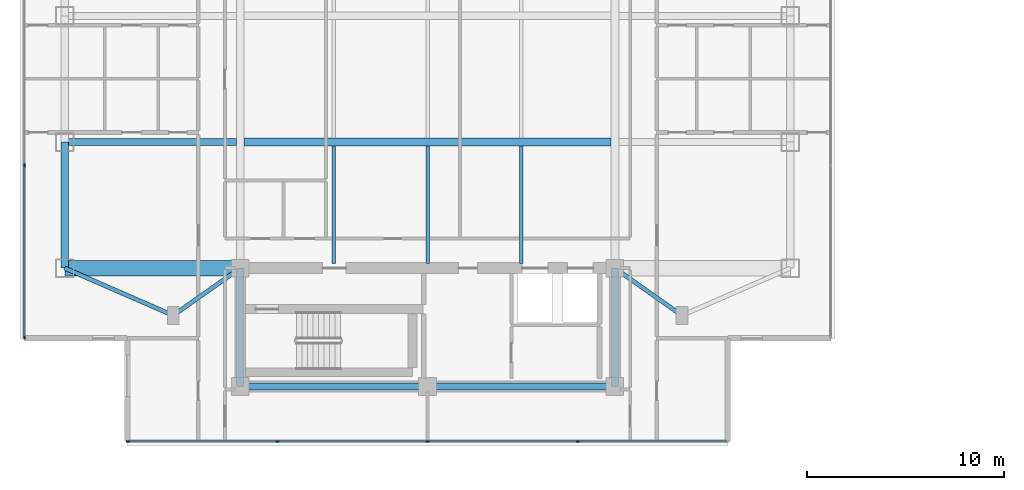
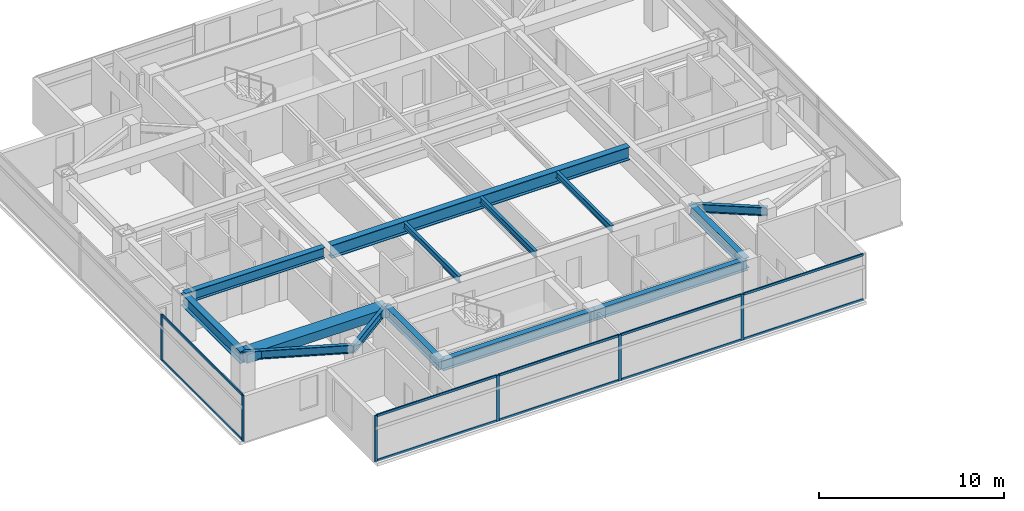
# One storey, part 2 of 24: 16 members, 14 beams, 2 elements without a shape of their own.
"""IFC4 building model written with IfcOpenShell, lengths in metres."""

from ifc_helpers import new_model, si_unit, direction, frame, origin, origin_2d, place, context, subcontext, project, spatial, rectangle, i_section, extrude, material, material_profile, profile_set, type_object, element, aggregate, save


model = new_model("IFC4")

# Units and contexts
model_context = context("Model", 3, precision=1e-05, world=origin(), true_north=direction((0.0, 1.0)))
body_context = subcontext(model_context, "Body", "Model", "MODEL_VIEW")
ifc_project = project(units=[si_unit("LENGTHUNIT", "METRE"), si_unit("AREAUNIT", "SQUARE_METRE"), si_unit("VOLUMEUNIT", "CUBIC_METRE"), si_unit("PLANEANGLEUNIT", "RADIAN"), si_unit("MASSUNIT", "GRAM", prefix="KILO")], contexts=[model_context])

# Site, building, storey
site_placement = place(None, origin())
site = spatial("IfcSite", under=ifc_project, at=site_placement, CompositionType="ELEMENT")
building_placement = place(site_placement, origin())
building = spatial("IfcBuilding", under=site, at=building_placement, Name="Mirazonda Arch Towers", CompositionType="ELEMENT")
storey_placement = place(building_placement, frame((0.0, 0.0, 196.64990234375)))
storey = spatial("IfcBuildingStorey", under=building, at=storey_placement, Name="L56", CompositionType="ELEMENT", Elevation=196.64990234375)

# Beams
ifc_material_1 = material(Name="Steel ASTM A992 Grade 50", Category="steel")
ifc_material_profile_1 = material_profile(ifc_material_1, i_section(OverallWidth=0.381103515625, OverallDepth=0.77294921875, WebThickness=0.0166015625, FlangeThickness=0.027099609375, at=origin_2d()), Name="W30X173")
ifc_profile_set_1 = profile_set([ifc_material_profile_1], Name="Steel ASTM A992 Grade 50")
beam_type_1 = type_object("IfcBeamType", Name="BM-EXT-W30X173", PredefinedType="USERDEFINED", material=ifc_profile_set_1)
beam_1_placement = place(storey_placement, frame((2.10009765625, 18.39990234375, 2.66357421875), z_axis=(0.0, 1.0, 0.0), x_axis=(-1.0, 0.0, 0.0)))
element("IfcBeam", 1, at=beam_1_placement, inside=storey, type_object=beam_type_1, Name="L56 Floor Beam BM-T1-L56-NS-W-18", ObjectType="GIRDER", PredefinedType="USERDEFINED", context=body_context, shape_type="SweptSolid", body=[
    extrude(i_section(OverallWidth=0.381103515625, OverallDepth=0.77294921875, WebThickness=0.0166015625, FlangeThickness=0.027099609375, at=origin_2d()), origin(), (0.0, 0.0, 1.0), 6.400146484375),
])
ifc_material_profile_2 = material_profile(ifc_material_1, i_section(OverallWidth=0.180908203125, OverallDepth=0.4169921875, WebThickness=0.010986328125, FlangeThickness=0.018310546875, at=origin_2d()), Name="W16X57")
ifc_profile_set_2 = profile_set([ifc_material_profile_2], Name="Steel ASTM A992 Grade 50")
beam_type_2 = type_object("IfcBeamType", Name="BM-INT-W16X57", PredefinedType="JOIST", material=ifc_profile_set_2)
for number, where, z_axis, x_axis, name in (
    (2, (15.75, 18.639892578125, 2.841552734375), (0.0, 1.0, 0.0), (-1.0, 0.0, 0.0), "L56 Floor Beam BM-T1-L56-J-157-18"),
    (3, (20.5, 18.639892578125, 2.841552734375), (0.0, 1.0, 0.0), (-1.0, 0.0, 0.0), "L56 Floor Beam BM-T1-L56-J-205-18"),
    (4, (25.25, 18.639892578125, 2.841552734375), (0.0, 1.0, 0.0), (-1.0, 0.0, 0.0), "L56 Floor Beam BM-T1-L56-J-252-18"),
):
    element("IfcBeam", number, at=place(storey_placement, frame(where, z_axis=z_axis, x_axis=x_axis)), inside=storey, type_object=beam_type_2, Name=name, PredefinedType="JOIST", context=body_context, shape_type="SweptSolid", body=[
        extrude(i_section(OverallWidth=0.180908203125, OverallDepth=0.4169921875, WebThickness=0.010986328125, FlangeThickness=0.018310546875, at=origin_2d()), origin(), (0.0, 0.0, 1.0), 5.964111328125),
    ])
ifc_material_profile_3 = material_profile(ifc_material_1, i_section(OverallWidth=0.214111328125, OverallDepth=0.549072265625, WebThickness=0.0146484375, FlangeThickness=0.023681640625, at=origin_2d()), Name="W21X93")
ifc_profile_set_3 = profile_set([ifc_material_profile_3], Name="Steel ASTM A992 Grade 50")
beam_type_3 = type_object("IfcBeamType", Name="BM-INT-W21X93", PredefinedType="BEAM", material=ifc_profile_set_3)
beam_2_placement = place(storey_placement, frame((7.60009765625, 16.0, 2.775634765625), z_axis=(0.816971114901, 0.576678591087, 0.0), x_axis=(-0.576678591087, 0.816971114901, 0.0)))
element("IfcBeam", 5, at=beam_2_placement, inside=storey, type_object=beam_type_3, Name="L56 Floor Beam BM-T1-L56-PL-SW1", PredefinedType="BEAM", context=body_context, shape_type="SweptSolid", body=[
    extrude(i_section(OverallWidth=0.214111328125, OverallDepth=0.549072265625, WebThickness=0.0146484375, FlangeThickness=0.023681640625, at=origin_2d()), origin(), (0.0, 0.0, 1.0), 4.16162109375),
])
beam_3_placement = place(storey_placement, frame((7.60009765625, 16.0, 2.775634765625), z_axis=(-0.916545343703, 0.399930785183, 0.0), x_axis=(-0.399930785183, -0.916545343703, 0.0)))
element("IfcBeam", 6, at=beam_3_placement, inside=storey, type_object=beam_type_3, Name="L56 Floor Beam BM-T1-L56-PL-SW2", PredefinedType="BEAM", context=body_context, shape_type="SweptSolid", body=[
    extrude(i_section(OverallWidth=0.214111328125, OverallDepth=0.549072265625, WebThickness=0.0146484375, FlangeThickness=0.023681640625, at=origin_2d()), origin(), (0.0, 0.0, 1.0), 6.000732421875),
])
beam_4_placement = place(storey_placement, frame((33.39990234375, 16.0, 2.775634765625), z_axis=(-0.816971114901, 0.576678591087, 0.0), x_axis=(-0.576678591087, -0.816971114901, 0.0)))
element("IfcBeam", 7, at=beam_4_placement, inside=storey, type_object=beam_type_3, Name="L56 Floor Beam BM-T1-L56-PL-SE1", PredefinedType="BEAM", context=body_context, shape_type="SweptSolid", body=[
    extrude(i_section(OverallWidth=0.214111328125, OverallDepth=0.549072265625, WebThickness=0.0146484375, FlangeThickness=0.023681640625, at=origin_2d()), origin(), (0.0, 0.0, 1.0), 4.16162109375),
])
ifc_material_profile_4 = material_profile(ifc_material_1, i_section(OverallWidth=0.35498046875, OverallDepth=0.696044921875, WebThickness=0.015380859375, FlangeThickness=0.02490234375, at=origin_2d()), Name="W27X146")
ifc_profile_set_4 = profile_set([ifc_material_profile_4], Name="Steel ASTM A992 Grade 50")
beam_type_4 = type_object("IfcBeamType", Name="BM-INT-W27X146", PredefinedType="BEAM", material=ifc_profile_set_4)
beam_5_placement = place(storey_placement, frame((2.10009765625, 24.800048828125, 2.7021484375), z_axis=(1.0, 0.0, 0.0), x_axis=(0.0, 1.0, 0.0)))
element("IfcBeam", 8, at=beam_5_placement, inside=storey, type_object=beam_type_4, Name="L56 Floor Beam BM-T1-L56-GW2", PredefinedType="BEAM", context=body_context, shape_type="SweptSolid", body=[
    extrude(i_section(OverallWidth=0.35498046875, OverallDepth=0.696044921875, WebThickness=0.015380859375, FlangeThickness=0.02490234375, at=origin_2d()), origin(), (0.0, 0.0, 1.0), 8.699951171875),
])
for number, where, z_axis, x_axis, name in (
    (9, (11.0, 12.39990234375, 2.7021484375), (1.0, 0.0, 0.0), (0.0, 1.0, 0.0), "L56 Floor Beam BM-T1-L56-CS1"),
    (10, (20.5, 12.39990234375, 2.7021484375), (1.0, 0.0, 0.0), (0.0, 1.0, 0.0), "L56 Floor Beam BM-T1-L56-CS2"),
):
    element("IfcBeam", number, at=place(storey_placement, frame(where, z_axis=z_axis, x_axis=x_axis)), inside=storey, type_object=beam_type_4, Name=name, PredefinedType="BEAM", context=body_context, shape_type="SweptSolid", body=[
        extrude(i_section(OverallWidth=0.35498046875, OverallDepth=0.696044921875, WebThickness=0.015380859375, FlangeThickness=0.02490234375, at=origin_2d()), origin(), (0.0, 0.0, 1.0), 9.5),
    ])
for number, where, z_axis, x_axis, name in (
    (11, (11.0, 12.39990234375, 2.7021484375), (0.0, 1.0, 0.0), (-1.0, 0.0, 0.0), "L56 Floor Beam BM-T1-L56-CSW"),
    (12, (30.0, 12.39990234375, 2.7021484375), (0.0, 1.0, 0.0), (-1.0, 0.0, 0.0), "L56 Floor Beam BM-T1-L56-CSE"),
):
    element("IfcBeam", number, at=place(storey_placement, frame(where, z_axis=z_axis, x_axis=x_axis)), inside=storey, type_object=beam_type_4, Name=name, PredefinedType="BEAM", context=body_context, shape_type="SweptSolid", body=[
        extrude(i_section(OverallWidth=0.35498046875, OverallDepth=0.696044921875, WebThickness=0.015380859375, FlangeThickness=0.02490234375, at=origin_2d()), origin(), (0.0, 0.0, 1.0), 6.0),
    ])
ifc_material_profile_5 = material_profile(ifc_material_1, i_section(OverallWidth=0.39990234375, OverallDepth=0.85595703125, WebThickness=0.018310546875, FlangeThickness=0.029296875, at=origin_2d()), Name="W33X201")
ifc_profile_set_5 = profile_set([ifc_material_profile_5], Name="Steel ASTM A992 Grade 50")
beam_type_5 = type_object("IfcBeamType", Name="BM-INT-W33X201", PredefinedType="USERDEFINED", material=ifc_profile_set_5)
beam_6_placement = place(storey_placement, frame((11.199951171875, 24.800048828125, 2.6220703125), z_axis=(1.0, 0.0, 0.0), x_axis=(0.0, 1.0, 0.0)))
element("IfcBeam", 13, at=beam_6_placement, inside=storey, type_object=beam_type_5, Name="L56 Floor Beam BM-T1-L56-GC2", ObjectType="GIRDER", PredefinedType="USERDEFINED", context=body_context, shape_type="SweptSolid", body=[
    extrude(i_section(OverallWidth=0.39990234375, OverallDepth=0.85595703125, WebThickness=0.018310546875, FlangeThickness=0.029296875, at=origin_2d()), origin(), (0.0, 0.0, 1.0), 18.60009765625),
])
ifc_material_2 = material(Name="Concrete C60/75", Category="concrete")
ifc_material_profile_6 = material_profile(ifc_material_2, rectangle(XDim=0.800048828125, YDim=0.60009765625, at=origin_2d()), Name="RCCB800x600")
ifc_profile_set_6 = profile_set([ifc_material_profile_6], Name="Concrete C60/75")
beam_type_6 = type_object("IfcBeamType", Name="CB-INT-RCCB800x600", PredefinedType="SPANDREL", material=ifc_profile_set_6)
beam_7_placement = place(storey_placement, frame((2.10009765625, 18.39990234375, 2.75), z_axis=(1.0, 0.0, 0.0), x_axis=(0.0, 1.0, 0.0)))
element("IfcBeam", 14, at=beam_7_placement, inside=storey, type_object=beam_type_6, Name="L56 Floor Beam CBC-T1-L56-SW", PredefinedType="SPANDREL", context=body_context, shape_type="SweptSolid", body=[
    extrude(rectangle(XDim=0.800048828125, YDim=0.60009765625, at=origin_2d()), origin(), (0.0, 0.0, 1.0), 8.89990234375),
])

# Curtain wall, members
ifc_material_3 = material(Name="Anodised Aluminium and Low-E Glass", Category="aluminium")
curtain_wall_type = type_object("IfcCurtainWallType", Name="CW-RES-UNIT", PredefinedType="NOTDEFINED", material=ifc_material_3)
curtain_wall_1_placement = place(storey_placement, origin())
curtain_wall_1 = element("IfcCurtainWall", 15, at=curtain_wall_1_placement, inside=storey, type_object=curtain_wall_type, Name="L56 T1 S Facade CW-L56-T1-S", PredefinedType="NOTDEFINED")
ifc_material_4 = material(Name="Anodised Aluminium Alloy", Category="aluminium")
ifc_material_profile_7 = material_profile(ifc_material_4, rectangle(XDim=0.074951171875, YDim=0.175048828125, at=origin_2d()), Name="ALU-MULL-75x175")
ifc_profile_set_7 = profile_set([ifc_material_profile_7], Name="Anodised Aluminium Alloy")
member_type_1 = type_object("IfcMemberType", Name="MULL-CW-RES-UNIT", PredefinedType="MULLION", material=ifc_profile_set_7)
member_1_placement = place(storey_placement, frame((28.117431640625, 9.617919921875, 0.0), z_axis=(0.0, 0.0, 1.0), x_axis=(0.0, -1.0, 0.0)))
member_1 = element("IfcMember", 16, at=member_1_placement, type_object=member_type_1, Name="CW-104 mullion 2", PredefinedType="MULLION", context=body_context, shape_type="SweptSolid", body=[
    extrude(rectangle(XDim=0.074951171875, YDim=0.175048828125, at=origin_2d()), origin(), (0.0, 0.0, 1.0), 3.030029296875),
])
member_2_placement = place(storey_placement, frame((20.5, 9.617919921875, 0.0), z_axis=(0.0, 0.0, 1.0), x_axis=(0.0, -1.0, 0.0)))
member_2 = element("IfcMember", 17, at=member_2_placement, type_object=member_type_1, Name="CW-104 mullion 3", PredefinedType="MULLION", context=body_context, shape_type="SweptSolid", body=[
    extrude(rectangle(XDim=0.074951171875, YDim=0.175048828125, at=origin_2d()), origin(), (0.0, 0.0, 1.0), 3.030029296875),
])
member_3_placement = place(storey_placement, frame((12.882568359375, 9.617919921875, 0.0), z_axis=(0.0, 0.0, 1.0), x_axis=(0.0, -1.0, 0.0)))
member_3 = element("IfcMember", 18, at=member_3_placement, type_object=member_type_1, Name="CW-104 mullion 4", PredefinedType="MULLION", context=body_context, shape_type="SweptSolid", body=[
    extrude(rectangle(XDim=0.074951171875, YDim=0.175048828125, at=origin_2d()), origin(), (0.0, 0.0, 1.0), 3.030029296875),
])
member_4_placement = place(storey_placement, frame((5.302490234375, 9.617919921875, 0.0), z_axis=(0.0, 0.0, 1.0), x_axis=(0.0, -1.0, 0.0)))
member_4 = element("IfcMember", 19, at=member_4_placement, type_object=member_type_1, Name="CW-104 mullion 5", PredefinedType="MULLION", context=body_context, shape_type="SweptSolid", body=[
    extrude(rectangle(XDim=0.074951171875, YDim=0.175048828125, at=origin_2d()), origin(), (0.0, 0.0, 1.0), 3.030029296875),
])

curtain_wall_2_placement = place(storey_placement, origin())
curtain_wall_2 = element("IfcCurtainWall", 20, at=curtain_wall_2_placement, inside=storey, type_object=curtain_wall_type, Name="L56 T1 W Facade CW-L56-T1-W", PredefinedType="NOTDEFINED")
member_5_placement = place(storey_placement, frame((0.050048828125, 23.611083984375, 0.0), z_axis=(0.0, 0.0, 1.0), x_axis=(1.0, 0.0, 0.0)))
member_5 = element("IfcMember", 21, at=member_5_placement, type_object=member_type_1, Name="CW-104 mullion 3", PredefinedType="MULLION", context=body_context, shape_type="SweptSolid", body=[
    extrude(rectangle(XDim=0.074951171875, YDim=0.175048828125, at=origin_2d()), origin(), (0.0, 0.0, 1.0), 3.030029296875),
])
member_6_placement = place(storey_placement, frame((0.050048828125, 14.87060546875, 0.0), z_axis=(0.0, 0.0, 1.0), x_axis=(1.0, 0.0, 0.0)))
member_6 = element("IfcMember", 22, at=member_6_placement, type_object=member_type_1, Name="CW-104 mullion 4", PredefinedType="MULLION", context=body_context, shape_type="SweptSolid", body=[
    extrude(rectangle(XDim=0.074951171875, YDim=0.175048828125, at=origin_2d()), origin(), (0.0, 0.0, 1.0), 3.030029296875),
])

# Member
ifc_material_profile_8 = material_profile(ifc_material_4, rectangle(XDim=0.074951171875, YDim=0.155029296875, at=origin_2d()), Name="ALU-TRAN-75x155")
ifc_profile_set_8 = profile_set([ifc_material_profile_8], Name="Anodised Aluminium Alloy")
member_type_2 = type_object("IfcMemberType", Name="TRAN-CW-RES-UNIT", PredefinedType="USERDEFINED", material=ifc_profile_set_8)
member_7_placement = place(storey_placement, frame((35.659912109375, 9.617919921875, 0.03759765625), z_axis=(-1.0, 0.0, 0.0), x_axis=(0.0, -1.0, 0.0)))
member_7 = element("IfcMember", 23, at=member_7_placement, type_object=member_type_2, Name="CW-104 transom 1.1", ObjectType="TRANSOM", PredefinedType="USERDEFINED", context=body_context, shape_type="SweptSolid", body=[
    extrude(rectangle(XDim=0.074951171875, YDim=0.155029296875, at=origin_2d()), origin(), (0.0, 0.0, 1.0), 7.5048828125),
])

member_8_placement = place(storey_placement, frame((35.659912109375, 9.617919921875, 2.99267578125), z_axis=(-1.0, 0.0, 0.0), x_axis=(0.0, -1.0, 0.0)))
member_8 = element("IfcMember", 24, at=member_8_placement, type_object=member_type_2, Name="CW-104 transom 1.2", ObjectType="TRANSOM", PredefinedType="USERDEFINED", context=body_context, shape_type="SweptSolid", body=[
    extrude(rectangle(XDim=0.074951171875, YDim=0.155029296875, at=origin_2d()), origin(), (0.0, 0.0, 1.0), 7.5048828125),
])

member_9_placement = place(storey_placement, frame((28.080078125, 9.617919921875, 0.03759765625), z_axis=(-1.0, 0.0, 0.0), x_axis=(0.0, -1.0, 0.0)))
member_9 = element("IfcMember", 25, at=member_9_placement, type_object=member_type_2, Name="CW-104 transom 2.1", ObjectType="TRANSOM", PredefinedType="USERDEFINED", context=body_context, shape_type="SweptSolid", body=[
    extrude(rectangle(XDim=0.074951171875, YDim=0.155029296875, at=origin_2d()), origin(), (0.0, 0.0, 1.0), 7.54248046875),
])

member_10_placement = place(storey_placement, frame((28.080078125, 9.617919921875, 2.99267578125), z_axis=(-1.0, 0.0, 0.0), x_axis=(0.0, -1.0, 0.0)))
member_10 = element("IfcMember", 26, at=member_10_placement, type_object=member_type_2, Name="CW-104 transom 2.2", ObjectType="TRANSOM", PredefinedType="USERDEFINED", context=body_context, shape_type="SweptSolid", body=[
    extrude(rectangle(XDim=0.074951171875, YDim=0.155029296875, at=origin_2d()), origin(), (0.0, 0.0, 1.0), 7.54248046875),
])

member_11_placement = place(storey_placement, frame((20.46240234375, 9.617919921875, 0.03759765625), z_axis=(-1.0, 0.0, 0.0), x_axis=(0.0, -1.0, 0.0)))
member_11 = element("IfcMember", 27, at=member_11_placement, type_object=member_type_2, Name="CW-104 transom 3.1", ObjectType="TRANSOM", PredefinedType="USERDEFINED", context=body_context, shape_type="SweptSolid", body=[
    extrude(rectangle(XDim=0.074951171875, YDim=0.155029296875, at=origin_2d()), origin(), (0.0, 0.0, 1.0), 7.54248046875),
])

member_12_placement = place(storey_placement, frame((20.46240234375, 9.617919921875, 2.99267578125), z_axis=(-1.0, 0.0, 0.0), x_axis=(0.0, -1.0, 0.0)))
member_12 = element("IfcMember", 28, at=member_12_placement, type_object=member_type_2, Name="CW-104 transom 3.2", ObjectType="TRANSOM", PredefinedType="USERDEFINED", context=body_context, shape_type="SweptSolid", body=[
    extrude(rectangle(XDim=0.074951171875, YDim=0.155029296875, at=origin_2d()), origin(), (0.0, 0.0, 1.0), 7.54248046875),
])

member_13_placement = place(storey_placement, frame((12.844970703125, 9.617919921875, 0.03759765625), z_axis=(-1.0, 0.0, 0.0), x_axis=(0.0, -1.0, 0.0)))
member_13 = element("IfcMember", 29, at=member_13_placement, type_object=member_type_2, Name="CW-104 transom 4.1", ObjectType="TRANSOM", PredefinedType="USERDEFINED", context=body_context, shape_type="SweptSolid", body=[
    extrude(rectangle(XDim=0.074951171875, YDim=0.155029296875, at=origin_2d()), origin(), (0.0, 0.0, 1.0), 7.5048828125),
])

member_14_placement = place(storey_placement, frame((12.844970703125, 9.617919921875, 2.99267578125), z_axis=(-1.0, 0.0, 0.0), x_axis=(0.0, -1.0, 0.0)))
member_14 = element("IfcMember", 30, at=member_14_placement, type_object=member_type_2, Name="CW-104 transom 4.2", ObjectType="TRANSOM", PredefinedType="USERDEFINED", context=body_context, shape_type="SweptSolid", body=[
    extrude(rectangle(XDim=0.074951171875, YDim=0.155029296875, at=origin_2d()), origin(), (0.0, 0.0, 1.0), 7.5048828125),
])

aggregate(curtain_wall_1, [member_1, member_2, member_3, member_4, member_7, member_8, member_9, member_10, member_11, member_12, member_13, member_14])

member_15_placement = place(storey_placement, frame((0.050048828125, 23.573486328125, 0.03759765625), z_axis=(0.0, -1.0, 0.0), x_axis=(1.0, 0.0, 0.0)))
member_15 = element("IfcMember", 31, at=member_15_placement, type_object=member_type_2, Name="CW-104 transom 3.1", ObjectType="TRANSOM", PredefinedType="USERDEFINED", context=body_context, shape_type="SweptSolid", body=[
    extrude(rectangle(XDim=0.074951171875, YDim=0.155029296875, at=origin_2d()), origin(), (0.0, 0.0, 1.0), 8.66552734375),
])

member_16_placement = place(storey_placement, frame((0.050048828125, 23.573486328125, 2.99267578125), z_axis=(0.0, -1.0, 0.0), x_axis=(1.0, 0.0, 0.0)))
member_16 = element("IfcMember", 32, at=member_16_placement, type_object=member_type_2, Name="CW-104 transom 3.2", ObjectType="TRANSOM", PredefinedType="USERDEFINED", context=body_context, shape_type="SweptSolid", body=[
    extrude(rectangle(XDim=0.074951171875, YDim=0.155029296875, at=origin_2d()), origin(), (0.0, 0.0, 1.0), 8.66552734375),
])

aggregate(curtain_wall_2, [member_5, member_6, member_15, member_16])

save(model, "model.ifc")
